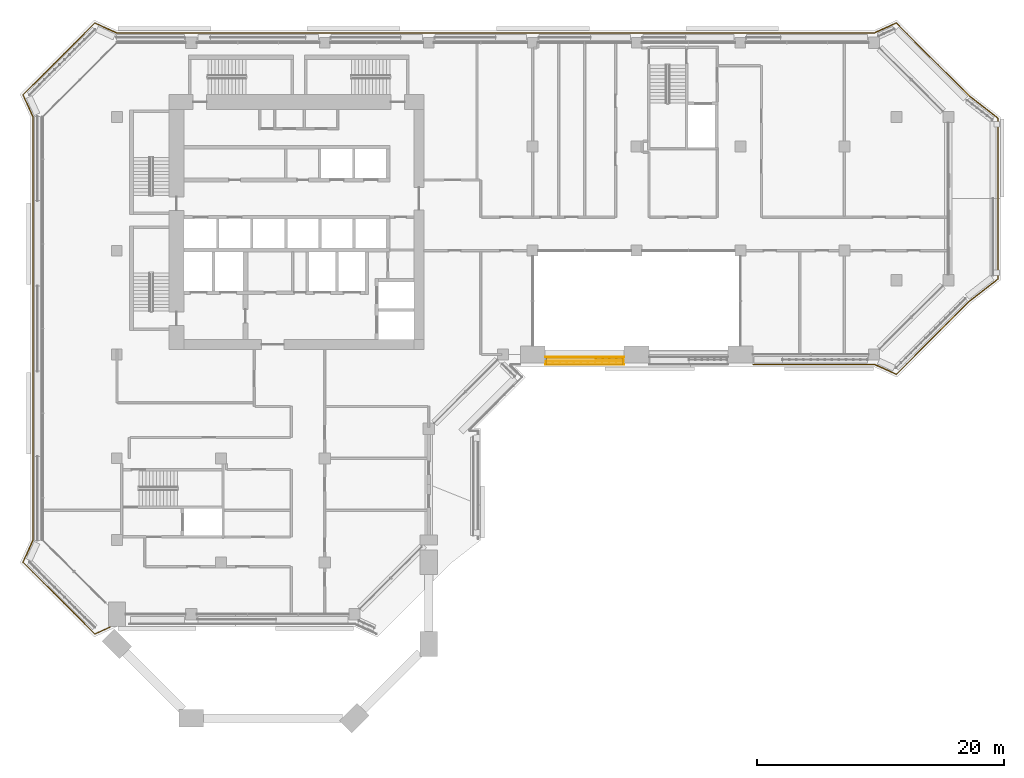
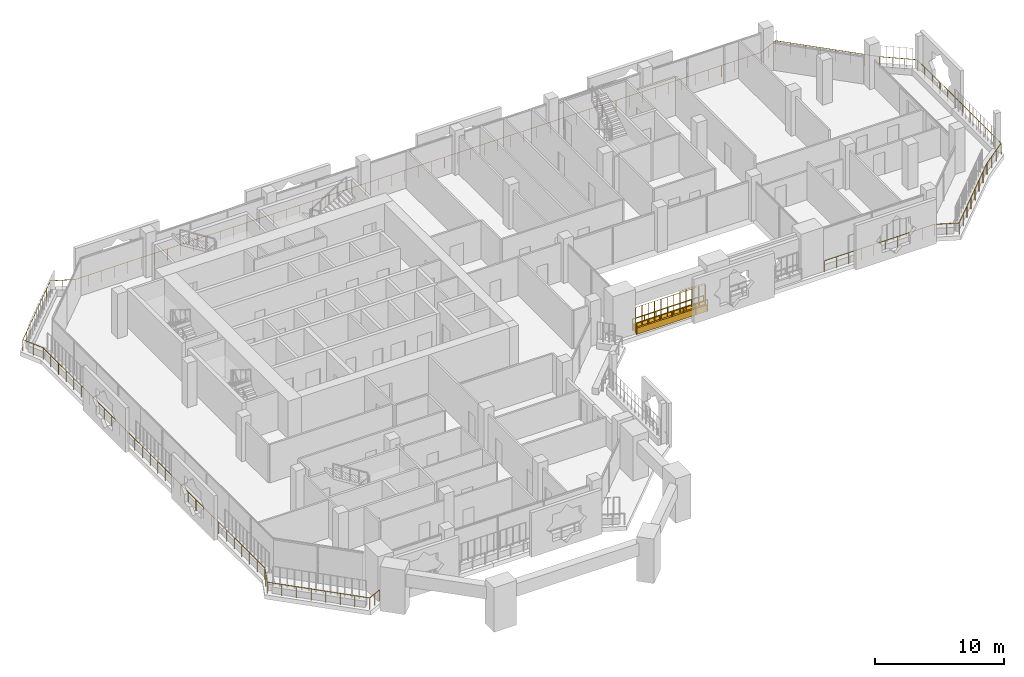
# One storey, part 19 of 23: 5 railings, 3 coverings.
"""IFC4 building model written with IfcOpenShell, lengths in metres."""

from ifc_helpers import new_model, si_unit, direction, frame, origin, origin_2d, place, context, subcontext, project, spatial, rectangle, circle, extrude, material, material_profile, profile_set, type_object, element, save


model = new_model("IFC4")

# Units and contexts
model_context = context("Model", 3, precision=1e-05, world=origin(), true_north=direction((0.0, 1.0)))
body_context = subcontext(model_context, "Body", "Model", "MODEL_VIEW")
ifc_project = project(units=[si_unit("LENGTHUNIT", "METRE"), si_unit("AREAUNIT", "SQUARE_METRE"), si_unit("VOLUMEUNIT", "CUBIC_METRE"), si_unit("PLANEANGLEUNIT", "RADIAN"), si_unit("MASSUNIT", "GRAM", prefix="KILO")], contexts=[model_context])

# Site, building, storey
site_placement = place(None, origin())
site = spatial("IfcSite", under=ifc_project, at=site_placement, CompositionType="ELEMENT")
building_placement = place(site_placement, origin())
building = spatial("IfcBuilding", under=site, at=building_placement, Name="Kawkab Arch Medical Tower", CompositionType="ELEMENT")
storey_placement = place(building_placement, frame((0.0, 0.0, 222.199951171875)))
storey = spatial("IfcBuildingStorey", under=building, at=storey_placement, Name="L51", CompositionType="ELEMENT", Elevation=222.199951171875)

# Railings
ifc_material_1 = material(Name="Bronze anodised aluminium guard", Category="aluminium")
railing_type_1 = type_object("IfcRailingType", Name="Loggia and terrace guard 1100", PredefinedType="GUARDRAIL", material=ifc_material_1)
railing_1_placement = place(storey_placement, frame((34.6298828125, -25.39990234375, 0.0)))
element("IfcRailing", 1, at=railing_1_placement, inside=storey, type_object=railing_type_1, Name="Guard L51.LOG-01.1.1", PredefinedType="GUARDRAIL", context=body_context, shape_type="SweptSolid", body=[
    extrude(circle(Radius=0.02392578125, at=origin_2d()), frame((0.0, 0.0, 1.076171875), z_axis=(1.0, 0.0, 0.0), x_axis=(0.0, 1.0, 0.0)), (0.0, 0.0, 1.0), 6.340087890625),
    extrude(circle(Radius=0.02099609375, at=origin_2d()), origin(), (0.0, 0.0, 1.0), 1.052001953125),
    extrude(circle(Radius=0.02099609375, at=origin_2d()), frame((1.056640625, 0.0, 0.0)), (0.0, 0.0, 1.0), 1.052001953125),
    extrude(circle(Radius=0.02099609375, at=origin_2d()), frame((2.11328125, 0.0, 0.0)), (0.0, 0.0, 1.0), 1.052001953125),
    extrude(circle(Radius=0.02099609375, at=origin_2d()), frame((3.169921875, 0.0, 0.0)), (0.0, 0.0, 1.0), 1.052001953125),
    extrude(circle(Radius=0.02099609375, at=origin_2d()), frame((4.226806640625, 0.0, 0.0)), (0.0, 0.0, 1.0), 1.052001953125),
    extrude(circle(Radius=0.02099609375, at=origin_2d()), frame((5.283447265625, 0.0, 0.0)), (0.0, 0.0, 1.0), 1.052001953125),
    extrude(circle(Radius=0.02099609375, at=origin_2d()), frame((6.340087890625, 0.0, 0.0)), (0.0, 0.0, 1.0), 1.052001953125),
])
railing_2_placement = place(storey_placement, frame((-0.548095703125, -47.22998046875, 0.0)))
element("IfcRailing", 2, at=railing_2_placement, inside=storey, type_object=railing_type_1, Name="Guard L51.LOG-01.2.2", PredefinedType="GUARDRAIL", context=body_context, shape_type="SweptSolid", body=[
    extrude(circle(Radius=0.02392578125, at=origin_2d()), frame((0.0, 0.0, 1.076171875), z_axis=(-0.909987760209, -0.4146351122, 0.0), x_axis=(0.4146351122, -0.909987760209, 0.0)), (0.0, 0.0, 1.0), 1.3701171875),
    extrude(circle(Radius=0.02392578125, at=origin_2d()), frame((-1.246826171875, -0.568115234375, 1.076171875), z_axis=(-0.707106781187, 0.707106781187, 0.0), x_axis=(-0.707106781187, -0.707106781187, 0.0)), (0.0, 0.0, 1.0), 8.20654296875),
    extrude(circle(Radius=0.02392578125, at=origin_2d()), frame((-7.0498046875, 5.23486328125, 1.076171875), z_axis=(0.414404752076, 0.910092688388, 0.0), x_axis=(-0.910092688388, 0.414404752076, 0.0)), (0.0, 0.0, 1.0), 1.92529296875),
    extrude(circle(Radius=0.02392578125, at=origin_2d()), frame((-6.251953125, 6.987060546875, 1.076171875), z_axis=(0.0, 1.0, 0.0), x_axis=(-1.0, 0.0, 0.0)), (0.0, 0.0, 1.0), 34.285888671875),
    extrude(circle(Radius=0.02392578125, at=origin_2d()), frame((-6.251953125, 41.27294921875, 1.076171875), z_axis=(-0.414452581809, 0.910070907914, 0.0), x_axis=(-0.910070907914, -0.414452581809, 0.0)), (0.0, 0.0, 1.0), 1.925048828125),
    extrude(circle(Radius=0.02392578125, at=origin_2d()), frame((-7.0498046875, 43.02490234375, 1.076171875), z_axis=(0.707106781187, 0.707106781187, 0.0), x_axis=(-0.707106781187, 0.707106781187, 0.0)), (0.0, 0.0, 1.0), 8.20654296875),
    extrude(circle(Radius=0.02392578125, at=origin_2d()), frame((-1.246826171875, 48.827880859375, 1.076171875), z_axis=(0.910070907914, -0.414452581809, 0.0), x_axis=(0.414452581809, 0.910070907914, 0.0)), (0.0, 0.0, 1.0), 1.925048828125),
    extrude(circle(Radius=0.02392578125, at=origin_2d()), frame((0.505126953125, 48.030029296875, 1.076171875), z_axis=(1.0, 0.0, 0.0), x_axis=(0.0, 1.0, 0.0)), (0.0, 0.0, 1.0), 61.285888671875),
    extrude(circle(Radius=0.02392578125, at=origin_2d()), frame((61.791015625, 48.030029296875, 1.076171875), z_axis=(0.910092688388, 0.414404752076, 0.0), x_axis=(-0.414404752076, 0.910092688388, 0.0)), (0.0, 0.0, 1.0), 1.92529296875),
    extrude(circle(Radius=0.02392578125, at=origin_2d()), frame((63.543212890625, 48.827880859375, 1.076171875), z_axis=(0.707106781187, -0.707106781187, 0.0), x_axis=(0.707106781187, 0.707106781187, 0.0)), (0.0, 0.0, 1.0), 8.35791015625),
    extrude(circle(Radius=0.02392578125, at=origin_2d()), frame((69.453125, 42.91796875, 1.076171875), z_axis=(0.789193964876, -0.614144026922, 0.0), x_axis=(0.614144026922, 0.789193964876, 0.0)), (0.0, 0.0, 1.0), 2.907958984375),
    extrude(circle(Radius=0.02392578125, at=origin_2d()), frame((71.748046875, 41.132080078125, 1.076171875), z_axis=(0.0, -1.0, 0.0), x_axis=(1.0, 0.0, 0.0)), (0.0, 0.0, 1.0), 13.004150390625),
    extrude(circle(Radius=0.02392578125, at=origin_2d()), frame((71.748046875, 28.1279296875, 1.076171875), z_axis=(-0.789193964876, -0.614144026922, 0.0), x_axis=(0.614144026922, -0.789193964876, 0.0)), (0.0, 0.0, 1.0), 2.907958984375),
    extrude(circle(Radius=0.02392578125, at=origin_2d()), frame((69.453125, 26.342041015625, 1.076171875), z_axis=(-0.707092175918, -0.707121386154, 0.0), x_axis=(0.707121386154, -0.707092175918, 0.0)), (0.0, 0.0, 1.0), 8.358154296875),
    extrude(circle(Radius=0.02392578125, at=origin_2d()), frame((63.543212890625, 20.431884765625, 1.076171875), z_axis=(-0.910044860056, 0.414509773934, 0.0), x_axis=(-0.414509773934, -0.910044860056, 0.0)), (0.0, 0.0, 1.0), 1.92529296875),
    extrude(circle(Radius=0.02392578125, at=origin_2d()), frame((61.791015625, 21.22998046875, 1.076171875), z_axis=(-1.0, 0.0, 0.0), x_axis=(0.0, -1.0, 0.0)), (0.0, 0.0, 1.0), 9.81298828125),
    extrude(circle(Radius=0.02099609375, at=origin_2d()), origin(), (0.0, 0.0, 1.0), 1.052001953125),
    extrude(circle(Radius=0.02099609375, at=origin_2d()), frame((-0.62353515625, -0.2841796875, 0.0)), (0.0, 0.0, 1.0), 1.052001953125),
    extrude(circle(Radius=0.02099609375, at=origin_2d()), frame((-1.246826171875, -0.568115234375, 0.0)), (0.0, 0.0, 1.0), 1.052001953125),
    extrude(circle(Radius=0.02099609375, at=origin_2d()), frame((-2.075927734375, 0.260986328125, 0.0)), (0.0, 0.0, 1.0), 1.052001953125),
    extrude(circle(Radius=0.02099609375, at=origin_2d()), frame((-2.90478515625, 1.08984375, 0.0)), (0.0, 0.0, 1.0), 1.052001953125),
    extrude(circle(Radius=0.02099609375, at=origin_2d()), frame((-3.73388671875, 1.9189453125, 0.0)), (0.0, 0.0, 1.0), 1.052001953125),
    extrude(circle(Radius=0.02099609375, at=origin_2d()), frame((-4.562744140625, 2.747802734375, 0.0)), (0.0, 0.0, 1.0), 1.052001953125),
    extrude(circle(Radius=0.02099609375, at=origin_2d()), frame((-5.391845703125, 3.576904296875, 0.0)), (0.0, 0.0, 1.0), 1.052001953125),
    extrude(circle(Radius=0.02099609375, at=origin_2d()), frame((-6.220703125, 4.40576171875, 0.0)), (0.0, 0.0, 1.0), 1.052001953125),
    extrude(circle(Radius=0.02099609375, at=origin_2d()), frame((-7.0498046875, 5.23486328125, 0.0)), (0.0, 0.0, 1.0), 1.052001953125),
    extrude(circle(Radius=0.02099609375, at=origin_2d()), frame((-6.65087890625, 6.11083984375, 0.0)), (0.0, 0.0, 1.0), 1.052001953125),
    extrude(circle(Radius=0.02099609375, at=origin_2d()), frame((-6.251953125, 6.987060546875, 0.0)), (0.0, 0.0, 1.0), 1.052001953125),
    extrude(circle(Radius=0.02099609375, at=origin_2d()), frame((-6.251953125, 8.16943359375, 0.0)), (0.0, 0.0, 1.0), 1.052001953125),
    extrude(circle(Radius=0.02099609375, at=origin_2d()), frame((-6.251953125, 9.3515625, 0.0)), (0.0, 0.0, 1.0), 1.052001953125),
    extrude(circle(Radius=0.02099609375, at=origin_2d()), frame((-6.251953125, 10.533935546875, 0.0)), (0.0, 0.0, 1.0), 1.052001953125),
    extrude(circle(Radius=0.02099609375, at=origin_2d()), frame((-6.251953125, 11.716064453125, 0.0)), (0.0, 0.0, 1.0), 1.052001953125),
    extrude(circle(Radius=0.02099609375, at=origin_2d()), frame((-6.251953125, 12.8984375, 0.0)), (0.0, 0.0, 1.0), 1.052001953125),
    extrude(circle(Radius=0.02099609375, at=origin_2d()), frame((-6.251953125, 14.080810546875, 0.0)), (0.0, 0.0, 1.0), 1.052001953125),
    extrude(circle(Radius=0.02099609375, at=origin_2d()), frame((-6.251953125, 15.262939453125, 0.0)), (0.0, 0.0, 1.0), 1.052001953125),
    extrude(circle(Radius=0.02099609375, at=origin_2d()), frame((-6.251953125, 16.4453125, 0.0)), (0.0, 0.0, 1.0), 1.052001953125),
    extrude(circle(Radius=0.02099609375, at=origin_2d()), frame((-6.251953125, 17.62744140625, 0.0)), (0.0, 0.0, 1.0), 1.052001953125),
    extrude(circle(Radius=0.02099609375, at=origin_2d()), frame((-6.251953125, 18.809814453125, 0.0)), (0.0, 0.0, 1.0), 1.052001953125),
    extrude(circle(Radius=0.02099609375, at=origin_2d()), frame((-6.251953125, 19.991943359375, 0.0)), (0.0, 0.0, 1.0), 1.052001953125),
    extrude(circle(Radius=0.02099609375, at=origin_2d()), frame((-6.251953125, 21.17431640625, 0.0)), (0.0, 0.0, 1.0), 1.052001953125),
    extrude(circle(Radius=0.02099609375, at=origin_2d()), frame((-6.251953125, 22.356689453125, 0.0)), (0.0, 0.0, 1.0), 1.052001953125),
    extrude(circle(Radius=0.02099609375, at=origin_2d()), frame((-6.251953125, 23.538818359375, 0.0)), (0.0, 0.0, 1.0), 1.052001953125),
    extrude(circle(Radius=0.02099609375, at=origin_2d()), frame((-6.251953125, 24.72119140625, 0.0)), (0.0, 0.0, 1.0), 1.052001953125),
    extrude(circle(Radius=0.02099609375, at=origin_2d()), frame((-6.251953125, 25.9033203125, 0.0)), (0.0, 0.0, 1.0), 1.052001953125),
    extrude(circle(Radius=0.02099609375, at=origin_2d()), frame((-6.251953125, 27.085693359375, 0.0)), (0.0, 0.0, 1.0), 1.052001953125),
    extrude(circle(Radius=0.02099609375, at=origin_2d()), frame((-6.251953125, 28.26806640625, 0.0)), (0.0, 0.0, 1.0), 1.052001953125),
    extrude(circle(Radius=0.02099609375, at=origin_2d()), frame((-6.251953125, 29.4501953125, 0.0)), (0.0, 0.0, 1.0), 1.052001953125),
    extrude(circle(Radius=0.02099609375, at=origin_2d()), frame((-6.251953125, 30.632568359375, 0.0)), (0.0, 0.0, 1.0), 1.052001953125),
    extrude(circle(Radius=0.02099609375, at=origin_2d()), frame((-6.251953125, 31.814697265625, 0.0)), (0.0, 0.0, 1.0), 1.052001953125),
    extrude(circle(Radius=0.02099609375, at=origin_2d()), frame((-6.251953125, 32.9970703125, 0.0)), (0.0, 0.0, 1.0), 1.052001953125),
    extrude(circle(Radius=0.02099609375, at=origin_2d()), frame((-6.251953125, 34.17919921875, 0.0)), (0.0, 0.0, 1.0), 1.052001953125),
    extrude(circle(Radius=0.02099609375, at=origin_2d()), frame((-6.251953125, 35.361572265625, 0.0)), (0.0, 0.0, 1.0), 1.052001953125),
    extrude(circle(Radius=0.02099609375, at=origin_2d()), frame((-6.251953125, 36.5439453125, 0.0)), (0.0, 0.0, 1.0), 1.052001953125),
    extrude(circle(Radius=0.02099609375, at=origin_2d()), frame((-6.251953125, 37.72607421875, 0.0)), (0.0, 0.0, 1.0), 1.052001953125),
    extrude(circle(Radius=0.02099609375, at=origin_2d()), frame((-6.251953125, 38.908447265625, 0.0)), (0.0, 0.0, 1.0), 1.052001953125),
    extrude(circle(Radius=0.02099609375, at=origin_2d()), frame((-6.251953125, 40.090576171875, 0.0)), (0.0, 0.0, 1.0), 1.052001953125),
    extrude(circle(Radius=0.02099609375, at=origin_2d()), frame((-6.251953125, 41.27294921875, 0.0)), (0.0, 0.0, 1.0), 1.052001953125),
    extrude(circle(Radius=0.02099609375, at=origin_2d()), frame((-6.65087890625, 42.14892578125, 0.0)), (0.0, 0.0, 1.0), 1.052001953125),
    extrude(circle(Radius=0.02099609375, at=origin_2d()), frame((-7.0498046875, 43.02490234375, 0.0)), (0.0, 0.0, 1.0), 1.052001953125),
    extrude(circle(Radius=0.02099609375, at=origin_2d()), frame((-6.220703125, 43.85400390625, 0.0)), (0.0, 0.0, 1.0), 1.052001953125),
    extrude(circle(Radius=0.02099609375, at=origin_2d()), frame((-5.391845703125, 44.682861328125, 0.0)), (0.0, 0.0, 1.0), 1.052001953125),
    extrude(circle(Radius=0.02099609375, at=origin_2d()), frame((-4.562744140625, 45.511962890625, 0.0)), (0.0, 0.0, 1.0), 1.052001953125),
    extrude(circle(Radius=0.02099609375, at=origin_2d()), frame((-3.73388671875, 46.3408203125, 0.0)), (0.0, 0.0, 1.0), 1.052001953125),
    extrude(circle(Radius=0.02099609375, at=origin_2d()), frame((-2.90478515625, 47.169921875, 0.0)), (0.0, 0.0, 1.0), 1.052001953125),
    extrude(circle(Radius=0.02099609375, at=origin_2d()), frame((-2.075927734375, 47.998779296875, 0.0)), (0.0, 0.0, 1.0), 1.052001953125),
    extrude(circle(Radius=0.02099609375, at=origin_2d()), frame((-1.246826171875, 48.827880859375, 0.0)), (0.0, 0.0, 1.0), 1.052001953125),
    extrude(circle(Radius=0.02099609375, at=origin_2d()), frame((-0.370849609375, 48.428955078125, 0.0)), (0.0, 0.0, 1.0), 1.052001953125),
    extrude(circle(Radius=0.02099609375, at=origin_2d()), frame((0.505126953125, 48.030029296875, 0.0)), (0.0, 0.0, 1.0), 1.052001953125),
    extrude(circle(Radius=0.02099609375, at=origin_2d()), frame((1.68359375, 48.030029296875, 0.0)), (0.0, 0.0, 1.0), 1.052001953125),
    extrude(circle(Radius=0.02099609375, at=origin_2d()), frame((2.8623046875, 48.030029296875, 0.0)), (0.0, 0.0, 1.0), 1.052001953125),
    extrude(circle(Radius=0.02099609375, at=origin_2d()), frame((4.040771484375, 48.030029296875, 0.0)), (0.0, 0.0, 1.0), 1.052001953125),
    extrude(circle(Radius=0.02099609375, at=origin_2d()), frame((5.219482421875, 48.030029296875, 0.0)), (0.0, 0.0, 1.0), 1.052001953125),
    extrude(circle(Radius=0.02099609375, at=origin_2d()), frame((6.39794921875, 48.030029296875, 0.0)), (0.0, 0.0, 1.0), 1.052001953125),
    extrude(circle(Radius=0.02099609375, at=origin_2d()), frame((7.57666015625, 48.030029296875, 0.0)), (0.0, 0.0, 1.0), 1.052001953125),
    extrude(circle(Radius=0.02099609375, at=origin_2d()), frame((8.755126953125, 48.030029296875, 0.0)), (0.0, 0.0, 1.0), 1.052001953125),
    extrude(circle(Radius=0.02099609375, at=origin_2d()), frame((9.933837890625, 48.030029296875, 0.0)), (0.0, 0.0, 1.0), 1.052001953125),
    extrude(circle(Radius=0.02099609375, at=origin_2d()), frame((11.1123046875, 48.030029296875, 0.0)), (0.0, 0.0, 1.0), 1.052001953125),
    extrude(circle(Radius=0.02099609375, at=origin_2d()), frame((12.290771484375, 48.030029296875, 0.0)), (0.0, 0.0, 1.0), 1.052001953125),
    extrude(circle(Radius=0.02099609375, at=origin_2d()), frame((13.469482421875, 48.030029296875, 0.0)), (0.0, 0.0, 1.0), 1.052001953125),
    extrude(circle(Radius=0.02099609375, at=origin_2d()), frame((14.64794921875, 48.030029296875, 0.0)), (0.0, 0.0, 1.0), 1.052001953125),
    extrude(circle(Radius=0.02099609375, at=origin_2d()), frame((15.82666015625, 48.030029296875, 0.0)), (0.0, 0.0, 1.0), 1.052001953125),
    extrude(circle(Radius=0.02099609375, at=origin_2d()), frame((17.005126953125, 48.030029296875, 0.0)), (0.0, 0.0, 1.0), 1.052001953125),
    extrude(circle(Radius=0.02099609375, at=origin_2d()), frame((18.183837890625, 48.030029296875, 0.0)), (0.0, 0.0, 1.0), 1.052001953125),
    extrude(circle(Radius=0.02099609375, at=origin_2d()), frame((19.3623046875, 48.030029296875, 0.0)), (0.0, 0.0, 1.0), 1.052001953125),
    extrude(circle(Radius=0.02099609375, at=origin_2d()), frame((20.541015625, 48.030029296875, 0.0)), (0.0, 0.0, 1.0), 1.052001953125),
    extrude(circle(Radius=0.02099609375, at=origin_2d()), frame((21.719482421875, 48.030029296875, 0.0)), (0.0, 0.0, 1.0), 1.052001953125),
    extrude(circle(Radius=0.02099609375, at=origin_2d()), frame((22.89794921875, 48.030029296875, 0.0)), (0.0, 0.0, 1.0), 1.052001953125),
    extrude(circle(Radius=0.02099609375, at=origin_2d()), frame((24.07666015625, 48.030029296875, 0.0)), (0.0, 0.0, 1.0), 1.052001953125),
    extrude(circle(Radius=0.02099609375, at=origin_2d()), frame((25.255126953125, 48.030029296875, 0.0)), (0.0, 0.0, 1.0), 1.052001953125),
    extrude(circle(Radius=0.02099609375, at=origin_2d()), frame((26.433837890625, 48.030029296875, 0.0)), (0.0, 0.0, 1.0), 1.052001953125),
    extrude(circle(Radius=0.02099609375, at=origin_2d()), frame((27.6123046875, 48.030029296875, 0.0)), (0.0, 0.0, 1.0), 1.052001953125),
    extrude(circle(Radius=0.02099609375, at=origin_2d()), frame((28.791015625, 48.030029296875, 0.0)), (0.0, 0.0, 1.0), 1.052001953125),
    extrude(circle(Radius=0.02099609375, at=origin_2d()), frame((29.969482421875, 48.030029296875, 0.0)), (0.0, 0.0, 1.0), 1.052001953125),
    extrude(circle(Radius=0.02099609375, at=origin_2d()), frame((31.14794921875, 48.030029296875, 0.0)), (0.0, 0.0, 1.0), 1.052001953125),
    extrude(circle(Radius=0.02099609375, at=origin_2d()), frame((32.32666015625, 48.030029296875, 0.0)), (0.0, 0.0, 1.0), 1.052001953125),
    extrude(circle(Radius=0.02099609375, at=origin_2d()), frame((33.505126953125, 48.030029296875, 0.0)), (0.0, 0.0, 1.0), 1.052001953125),
    extrude(circle(Radius=0.02099609375, at=origin_2d()), frame((34.683837890625, 48.030029296875, 0.0)), (0.0, 0.0, 1.0), 1.052001953125),
    extrude(circle(Radius=0.02099609375, at=origin_2d()), frame((35.8623046875, 48.030029296875, 0.0)), (0.0, 0.0, 1.0), 1.052001953125),
    extrude(circle(Radius=0.02099609375, at=origin_2d()), frame((37.041015625, 48.030029296875, 0.0)), (0.0, 0.0, 1.0), 1.052001953125),
    extrude(circle(Radius=0.02099609375, at=origin_2d()), frame((38.219482421875, 48.030029296875, 0.0)), (0.0, 0.0, 1.0), 1.052001953125),
    extrude(circle(Radius=0.02099609375, at=origin_2d()), frame((39.398193359375, 48.030029296875, 0.0)), (0.0, 0.0, 1.0), 1.052001953125),
    extrude(circle(Radius=0.02099609375, at=origin_2d()), frame((40.57666015625, 48.030029296875, 0.0)), (0.0, 0.0, 1.0), 1.052001953125),
    extrude(circle(Radius=0.02099609375, at=origin_2d()), frame((41.755126953125, 48.030029296875, 0.0)), (0.0, 0.0, 1.0), 1.052001953125),
    extrude(circle(Radius=0.02099609375, at=origin_2d()), frame((42.933837890625, 48.030029296875, 0.0)), (0.0, 0.0, 1.0), 1.052001953125),
    extrude(circle(Radius=0.02099609375, at=origin_2d()), frame((44.1123046875, 48.030029296875, 0.0)), (0.0, 0.0, 1.0), 1.052001953125),
    extrude(circle(Radius=0.02099609375, at=origin_2d()), frame((45.291015625, 48.030029296875, 0.0)), (0.0, 0.0, 1.0), 1.052001953125),
    extrude(circle(Radius=0.02099609375, at=origin_2d()), frame((46.469482421875, 48.030029296875, 0.0)), (0.0, 0.0, 1.0), 1.052001953125),
    extrude(circle(Radius=0.02099609375, at=origin_2d()), frame((47.648193359375, 48.030029296875, 0.0)), (0.0, 0.0, 1.0), 1.052001953125),
    extrude(circle(Radius=0.02099609375, at=origin_2d()), frame((48.82666015625, 48.030029296875, 0.0)), (0.0, 0.0, 1.0), 1.052001953125),
    extrude(circle(Radius=0.02099609375, at=origin_2d()), frame((50.00537109375, 48.030029296875, 0.0)), (0.0, 0.0, 1.0), 1.052001953125),
    extrude(circle(Radius=0.02099609375, at=origin_2d()), frame((51.183837890625, 48.030029296875, 0.0)), (0.0, 0.0, 1.0), 1.052001953125),
    extrude(circle(Radius=0.02099609375, at=origin_2d()), frame((52.3623046875, 48.030029296875, 0.0)), (0.0, 0.0, 1.0), 1.052001953125),
    extrude(circle(Radius=0.02099609375, at=origin_2d()), frame((53.541015625, 48.030029296875, 0.0)), (0.0, 0.0, 1.0), 1.052001953125),
    extrude(circle(Radius=0.02099609375, at=origin_2d()), frame((54.719482421875, 48.030029296875, 0.0)), (0.0, 0.0, 1.0), 1.052001953125),
    extrude(circle(Radius=0.02099609375, at=origin_2d()), frame((55.898193359375, 48.030029296875, 0.0)), (0.0, 0.0, 1.0), 1.052001953125),
    extrude(circle(Radius=0.02099609375, at=origin_2d()), frame((57.07666015625, 48.030029296875, 0.0)), (0.0, 0.0, 1.0), 1.052001953125),
    extrude(circle(Radius=0.02099609375, at=origin_2d()), frame((58.25537109375, 48.030029296875, 0.0)), (0.0, 0.0, 1.0), 1.052001953125),
    extrude(circle(Radius=0.02099609375, at=origin_2d()), frame((59.433837890625, 48.030029296875, 0.0)), (0.0, 0.0, 1.0), 1.052001953125),
    extrude(circle(Radius=0.02099609375, at=origin_2d()), frame((60.612548828125, 48.030029296875, 0.0)), (0.0, 0.0, 1.0), 1.052001953125),
    extrude(circle(Radius=0.02099609375, at=origin_2d()), frame((61.791015625, 48.030029296875, 0.0)), (0.0, 0.0, 1.0), 1.052001953125),
    extrude(circle(Radius=0.02099609375, at=origin_2d()), frame((62.6669921875, 48.428955078125, 0.0)), (0.0, 0.0, 1.0), 1.052001953125),
    extrude(circle(Radius=0.02099609375, at=origin_2d()), frame((63.543212890625, 48.827880859375, 0.0)), (0.0, 0.0, 1.0), 1.052001953125),
    extrude(circle(Radius=0.02099609375, at=origin_2d()), frame((64.387451171875, 47.983642578125, 0.0)), (0.0, 0.0, 1.0), 1.052001953125),
    extrude(circle(Radius=0.02099609375, at=origin_2d()), frame((65.231689453125, 47.139404296875, 0.0)), (0.0, 0.0, 1.0), 1.052001953125),
    extrude(circle(Radius=0.02099609375, at=origin_2d()), frame((66.075927734375, 46.295166015625, 0.0)), (0.0, 0.0, 1.0), 1.052001953125),
    extrude(circle(Radius=0.02099609375, at=origin_2d()), frame((66.92041015625, 45.45068359375, 0.0)), (0.0, 0.0, 1.0), 1.052001953125),
    extrude(circle(Radius=0.02099609375, at=origin_2d()), frame((67.7646484375, 44.6064453125, 0.0)), (0.0, 0.0, 1.0), 1.052001953125),
    extrude(circle(Radius=0.02099609375, at=origin_2d()), frame((68.60888671875, 43.76220703125, 0.0)), (0.0, 0.0, 1.0), 1.052001953125),
    extrude(circle(Radius=0.02099609375, at=origin_2d()), frame((69.453125, 42.91796875, 0.0)), (0.0, 0.0, 1.0), 1.052001953125),
    extrude(circle(Radius=0.02099609375, at=origin_2d()), frame((70.218017578125, 42.32275390625, 0.0)), (0.0, 0.0, 1.0), 1.052001953125),
    extrude(circle(Radius=0.02099609375, at=origin_2d()), frame((70.983154296875, 41.727294921875, 0.0)), (0.0, 0.0, 1.0), 1.052001953125),
    extrude(circle(Radius=0.02099609375, at=origin_2d()), frame((71.748046875, 41.132080078125, 0.0)), (0.0, 0.0, 1.0), 1.052001953125),
    extrude(circle(Radius=0.02099609375, at=origin_2d()), frame((71.748046875, 39.949951171875, 0.0)), (0.0, 0.0, 1.0), 1.052001953125),
    extrude(circle(Radius=0.02099609375, at=origin_2d()), frame((71.748046875, 38.767578125, 0.0)), (0.0, 0.0, 1.0), 1.052001953125),
    extrude(circle(Radius=0.02099609375, at=origin_2d()), frame((71.748046875, 37.58544921875, 0.0)), (0.0, 0.0, 1.0), 1.052001953125),
    extrude(circle(Radius=0.02099609375, at=origin_2d()), frame((71.748046875, 36.4033203125, 0.0)), (0.0, 0.0, 1.0), 1.052001953125),
    extrude(circle(Radius=0.02099609375, at=origin_2d()), frame((71.748046875, 35.22119140625, 0.0)), (0.0, 0.0, 1.0), 1.052001953125),
    extrude(circle(Radius=0.02099609375, at=origin_2d()), frame((71.748046875, 34.038818359375, 0.0)), (0.0, 0.0, 1.0), 1.052001953125),
    extrude(circle(Radius=0.02099609375, at=origin_2d()), frame((71.748046875, 32.856689453125, 0.0)), (0.0, 0.0, 1.0), 1.052001953125),
    extrude(circle(Radius=0.02099609375, at=origin_2d()), frame((71.748046875, 31.674560546875, 0.0)), (0.0, 0.0, 1.0), 1.052001953125),
    extrude(circle(Radius=0.02099609375, at=origin_2d()), frame((71.748046875, 30.492431640625, 0.0)), (0.0, 0.0, 1.0), 1.052001953125),
    extrude(circle(Radius=0.02099609375, at=origin_2d()), frame((71.748046875, 29.31005859375, 0.0)), (0.0, 0.0, 1.0), 1.052001953125),
    extrude(circle(Radius=0.02099609375, at=origin_2d()), frame((71.748046875, 28.1279296875, 0.0)), (0.0, 0.0, 1.0), 1.052001953125),
    extrude(circle(Radius=0.02099609375, at=origin_2d()), frame((70.983154296875, 27.53271484375, 0.0)), (0.0, 0.0, 1.0), 1.052001953125),
    extrude(circle(Radius=0.02099609375, at=origin_2d()), frame((70.218017578125, 26.937255859375, 0.0)), (0.0, 0.0, 1.0), 1.052001953125),
    extrude(circle(Radius=0.02099609375, at=origin_2d()), frame((69.453125, 26.342041015625, 0.0)), (0.0, 0.0, 1.0), 1.052001953125),
    extrude(circle(Radius=0.02099609375, at=origin_2d()), frame((68.60888671875, 25.497802734375, 0.0)), (0.0, 0.0, 1.0), 1.052001953125),
    extrude(circle(Radius=0.02099609375, at=origin_2d()), frame((67.7646484375, 24.6533203125, 0.0)), (0.0, 0.0, 1.0), 1.052001953125),
    extrude(circle(Radius=0.02099609375, at=origin_2d()), frame((66.92041015625, 23.80908203125, 0.0)), (0.0, 0.0, 1.0), 1.052001953125),
    extrude(circle(Radius=0.02099609375, at=origin_2d()), frame((66.075927734375, 22.96484375, 0.0)), (0.0, 0.0, 1.0), 1.052001953125),
    extrude(circle(Radius=0.02099609375, at=origin_2d()), frame((65.231689453125, 22.12060546875, 0.0)), (0.0, 0.0, 1.0), 1.052001953125),
    extrude(circle(Radius=0.02099609375, at=origin_2d()), frame((64.387451171875, 21.276123046875, 0.0)), (0.0, 0.0, 1.0), 1.052001953125),
    extrude(circle(Radius=0.02099609375, at=origin_2d()), frame((63.543212890625, 20.431884765625, 0.0)), (0.0, 0.0, 1.0), 1.052001953125),
    extrude(circle(Radius=0.02099609375, at=origin_2d()), frame((62.6669921875, 20.8310546875, 0.0)), (0.0, 0.0, 1.0), 1.052001953125),
    extrude(circle(Radius=0.02099609375, at=origin_2d()), frame((61.791015625, 21.22998046875, 0.0)), (0.0, 0.0, 1.0), 1.052001953125),
    extrude(circle(Radius=0.02099609375, at=origin_2d()), frame((60.70068359375, 21.22998046875, 0.0)), (0.0, 0.0, 1.0), 1.052001953125),
    extrude(circle(Radius=0.02099609375, at=origin_2d()), frame((59.6103515625, 21.22998046875, 0.0)), (0.0, 0.0, 1.0), 1.052001953125),
    extrude(circle(Radius=0.02099609375, at=origin_2d()), frame((58.52001953125, 21.22998046875, 0.0)), (0.0, 0.0, 1.0), 1.052001953125),
    extrude(circle(Radius=0.02099609375, at=origin_2d()), frame((57.4296875, 21.22998046875, 0.0)), (0.0, 0.0, 1.0), 1.052001953125),
    extrude(circle(Radius=0.02099609375, at=origin_2d()), frame((56.33935546875, 21.22998046875, 0.0)), (0.0, 0.0, 1.0), 1.052001953125),
    extrude(circle(Radius=0.02099609375, at=origin_2d()), frame((55.2490234375, 21.22998046875, 0.0)), (0.0, 0.0, 1.0), 1.052001953125),
    extrude(circle(Radius=0.02099609375, at=origin_2d()), frame((54.15869140625, 21.22998046875, 0.0)), (0.0, 0.0, 1.0), 1.052001953125),
    extrude(circle(Radius=0.02099609375, at=origin_2d()), frame((53.068359375, 21.22998046875, 0.0)), (0.0, 0.0, 1.0), 1.052001953125),
    extrude(circle(Radius=0.02099609375, at=origin_2d()), frame((51.97802734375, 21.22998046875, 0.0)), (0.0, 0.0, 1.0), 1.052001953125),
])
railing_3_placement = place(storey_placement, frame((40.969970703125, -26.0, 0.0)))
element("IfcRailing", 3, at=railing_3_placement, inside=storey, type_object=railing_type_1, Name="Guard L51.LOG-01.2.4", PredefinedType="GUARDRAIL", context=body_context, shape_type="SweptSolid", body=[
    extrude(circle(Radius=0.02392578125, at=origin_2d()), frame((0.0, 0.0, 1.076171875), z_axis=(-1.0, 0.0, 0.0), x_axis=(0.0, -1.0, 0.0)), (0.0, 0.0, 1.0), 6.340087890625),
    extrude(circle(Radius=0.02099609375, at=origin_2d()), origin(), (0.0, 0.0, 1.0), 1.052001953125),
    extrude(circle(Radius=0.02099609375, at=origin_2d()), frame((-1.056640625, 0.0, 0.0)), (0.0, 0.0, 1.0), 1.052001953125),
    extrude(circle(Radius=0.02099609375, at=origin_2d()), frame((-2.11328125, 0.0, 0.0)), (0.0, 0.0, 1.0), 1.052001953125),
    extrude(circle(Radius=0.02099609375, at=origin_2d()), frame((-3.169921875, 0.0, 0.0)), (0.0, 0.0, 1.0), 1.052001953125),
    extrude(circle(Radius=0.02099609375, at=origin_2d()), frame((-4.226806640625, 0.0, 0.0)), (0.0, 0.0, 1.0), 1.052001953125),
    extrude(circle(Radius=0.02099609375, at=origin_2d()), frame((-5.283447265625, 0.0, 0.0)), (0.0, 0.0, 1.0), 1.052001953125),
    extrude(circle(Radius=0.02099609375, at=origin_2d()), frame((-6.340087890625, 0.0, 0.0)), (0.0, 0.0, 1.0), 1.052001953125),
])

# Coverings
ifc_material_2 = material(Name="Planting soil in a precast trough", Category="concrete")
ifc_material_profile = material_profile(ifc_material_2, rectangle(XDim=0.5, YDim=0.60009765625, at=origin_2d()), Name="Trough 500x600")
ifc_profile_set = profile_set([ifc_material_profile], Name="Planting soil in a precast trough")
covering_type = type_object("IfcCoveringType", Name="Planter trough 500 x 600", PredefinedType="USERDEFINED", material=ifc_profile_set)
covering_1_placement = place(storey_placement, frame((34.679931640625, -25.780029296875, 0.300048828125), z_axis=(1.0, 0.0, 0.0), x_axis=(0.0, 1.0, 0.0)))
element("IfcCovering", 4, at=covering_1_placement, inside=storey, type_object=covering_type, Name="Planter L51.LOG-01-01.1", ObjectType="PLANTER", PredefinedType="USERDEFINED", context=body_context, shape_type="SweptSolid", body=[
    extrude(rectangle(XDim=0.5, YDim=0.60009765625, at=origin_2d()), origin(), (0.0, 0.0, 1.0), 6.239990234375),
])
covering_2_placement = place(storey_placement, frame((40.919921875, -25.6201171875, 0.300048828125), z_axis=(-1.0, 0.0, 0.0), x_axis=(0.0, -1.0, 0.0)))
element("IfcCovering", 5, at=covering_2_placement, inside=storey, type_object=covering_type, Name="Planter L51.LOG-01-02.41", ObjectType="PLANTER", PredefinedType="USERDEFINED", context=body_context, shape_type="SweptSolid", body=[
    extrude(rectangle(XDim=0.5, YDim=0.60009765625, at=origin_2d()), origin(), (0.0, 0.0, 1.0), 2.199951171875),
])
covering_3_placement = place(storey_placement, frame((38.719970703125, -25.6201171875, 0.300048828125), z_axis=(-1.0, 0.0, 0.0), x_axis=(0.0, -1.0, 0.0)))
element("IfcCovering", 6, at=covering_3_placement, inside=storey, type_object=covering_type, Name="Planter L51.LOG-01-02.42", ObjectType="PLANTER", PredefinedType="USERDEFINED", context=body_context, shape_type="SweptSolid", body=[
    extrude(rectangle(XDim=0.5, YDim=0.60009765625, at=origin_2d()), origin(), (0.0, 0.0, 1.0), 4.0400390625),
])

# Railings
ifc_material_3 = material(Name="Bronze anodised aluminium trellis for climbing plants", Category="aluminium")
railing_type_2 = type_object("IfcRailingType", Name="Planting trellis 2400", PredefinedType="USERDEFINED", material=ifc_material_3)
railing_4_placement = place(storey_placement, frame((34.679931640625, -25.780029296875, 0.0)))
element("IfcRailing", 7, at=railing_4_placement, inside=storey, type_object=railing_type_2, Name="Planting trellis L51.LOG-01-01.1", ObjectType="TRELLIS", PredefinedType="USERDEFINED", context=body_context, shape_type="SweptSolid", body=[
    extrude(circle(Radius=0.01513671875, at=origin_2d()), frame((0.0, 0.0, 2.384765625), z_axis=(1.0, 0.0, 0.0), x_axis=(0.0, 1.0, 0.0)), (0.0, 0.0, 1.0), 6.239990234375),
    extrude(circle(Radius=0.030029296875, at=origin_2d()), origin(), (0.0, 0.0, 1.0), 2.369873046875),
    extrude(circle(Radius=0.030029296875, at=origin_2d()), frame((0.5673828125, 0.0, 0.0)), (0.0, 0.0, 1.0), 2.369873046875),
    extrude(circle(Radius=0.030029296875, at=origin_2d()), frame((1.134521484375, 0.0, 0.0)), (0.0, 0.0, 1.0), 2.369873046875),
    extrude(circle(Radius=0.030029296875, at=origin_2d()), frame((1.701904296875, 0.0, 0.0)), (0.0, 0.0, 1.0), 2.369873046875),
    extrude(circle(Radius=0.030029296875, at=origin_2d()), frame((2.26904296875, 0.0, 0.0)), (0.0, 0.0, 1.0), 2.369873046875),
    extrude(circle(Radius=0.030029296875, at=origin_2d()), frame((2.83642578125, 0.0, 0.0)), (0.0, 0.0, 1.0), 2.369873046875),
    extrude(circle(Radius=0.030029296875, at=origin_2d()), frame((3.403564453125, 0.0, 0.0)), (0.0, 0.0, 1.0), 2.369873046875),
    extrude(circle(Radius=0.030029296875, at=origin_2d()), frame((3.970947265625, 0.0, 0.0)), (0.0, 0.0, 1.0), 2.369873046875),
    extrude(circle(Radius=0.030029296875, at=origin_2d()), frame((4.5380859375, 0.0, 0.0)), (0.0, 0.0, 1.0), 2.369873046875),
    extrude(circle(Radius=0.030029296875, at=origin_2d()), frame((5.10546875, 0.0, 0.0)), (0.0, 0.0, 1.0), 2.369873046875),
    extrude(circle(Radius=0.030029296875, at=origin_2d()), frame((5.672607421875, 0.0, 0.0)), (0.0, 0.0, 1.0), 2.369873046875),
    extrude(circle(Radius=0.030029296875, at=origin_2d()), frame((6.239990234375, 0.0, 0.0)), (0.0, 0.0, 1.0), 2.369873046875),
])
railing_5_placement = place(storey_placement, frame((40.919921875, -25.6201171875, 0.0)))
element("IfcRailing", 8, at=railing_5_placement, inside=storey, type_object=railing_type_2, Name="Planting trellis L51.LOG-01-02.41", ObjectType="TRELLIS", PredefinedType="USERDEFINED", context=body_context, shape_type="SweptSolid", body=[
    extrude(circle(Radius=0.01513671875, at=origin_2d()), frame((0.0, 0.0, 2.384765625), z_axis=(-1.0, 0.0, 0.0), x_axis=(0.0, -1.0, 0.0)), (0.0, 0.0, 1.0), 2.199951171875),
    extrude(circle(Radius=0.030029296875, at=origin_2d()), origin(), (0.0, 0.0, 1.0), 2.369873046875),
    extrude(circle(Radius=0.030029296875, at=origin_2d()), frame((-0.550048828125, 0.0, 0.0)), (0.0, 0.0, 1.0), 2.369873046875),
    extrude(circle(Radius=0.030029296875, at=origin_2d()), frame((-1.10009765625, 0.0, 0.0)), (0.0, 0.0, 1.0), 2.369873046875),
    extrude(circle(Radius=0.030029296875, at=origin_2d()), frame((-1.64990234375, 0.0, 0.0)), (0.0, 0.0, 1.0), 2.369873046875),
    extrude(circle(Radius=0.030029296875, at=origin_2d()), frame((-2.199951171875, 0.0, 0.0)), (0.0, 0.0, 1.0), 2.369873046875),
])

save(model, "model.ifc")
